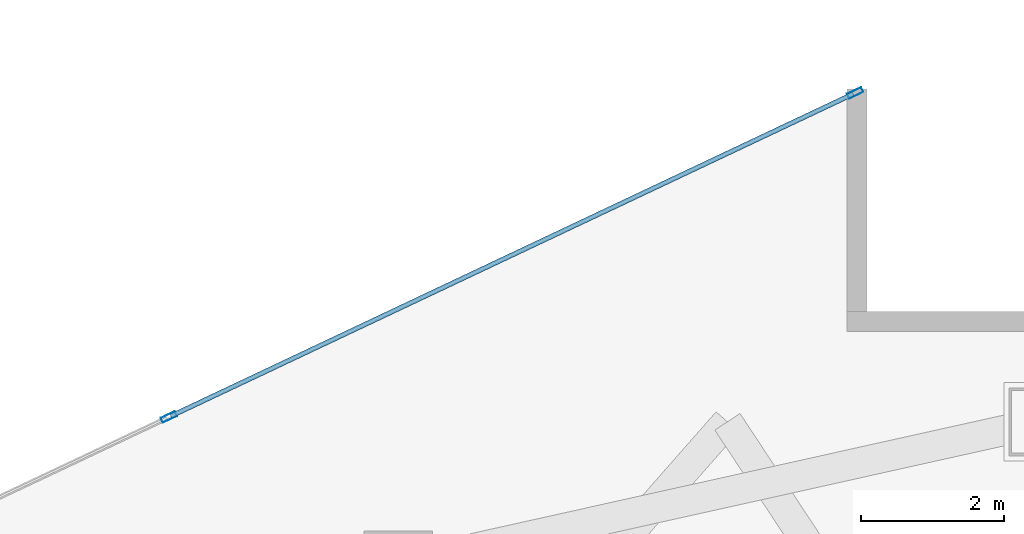
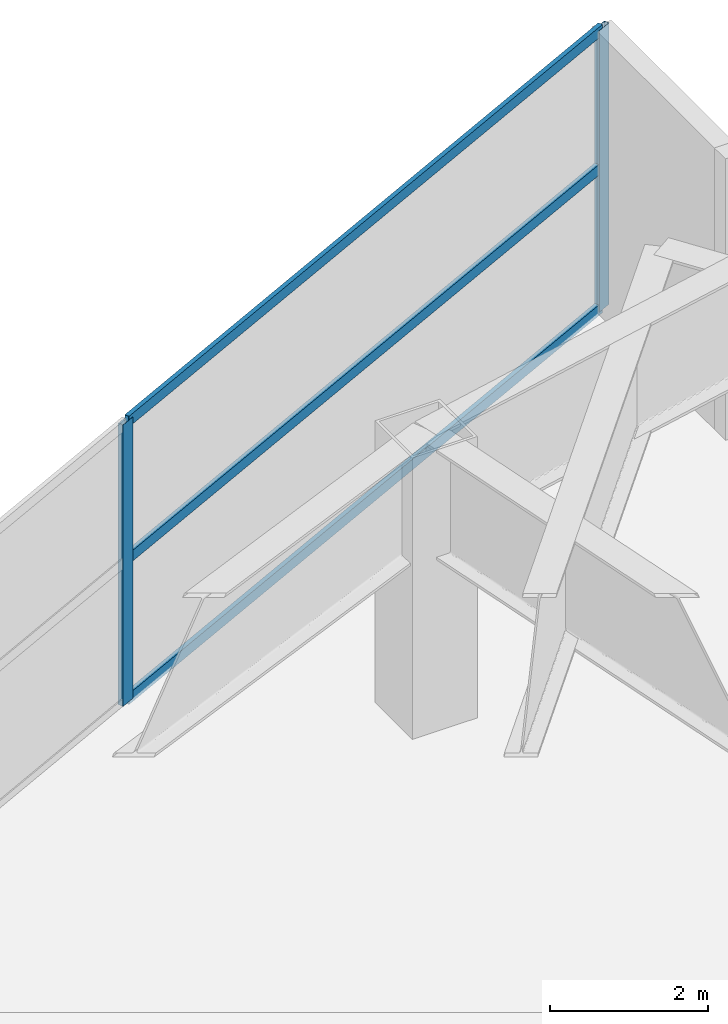
# One storey, part 9 of 18: 5 members, 1 element without a shape of its own.
"""IFC4 building model written with IfcOpenShell, lengths in metres."""

import ifcopenshell
import ifcopenshell.guid

model = None  # the IFC model being written
_history = None  # IfcOwnerHistory: only IFC2X3 demands one
_inside = {}  # id of a spatial element -> (the spatial element, [elements in it])
_under = {}  # id of a project, library or spatial element -> (it, [spatial elements below it])
_declared = {}  # id of a project -> (the project, [libraries it declares])
_typed = {}  # id of a type object -> (the type object, [elements of that type])
_made_of = {}  # id of a material, layer set ... -> (it, [elements and type objects made of it])


def new_model(schema):
    """Start an empty IFC model of exactly this schema.

    Asked for "IFC4X3", IfcOpenShell would pick the latest addendum, in which some entities
    have other attributes; the version numbers below select the first issue.
    IFC2X3 requires an IfcOwnerHistory on every rooted entity: one is made here for all.
    """
    global model, _history
    if schema == "IFC4X3":
        model = ifcopenshell.file(schema_version=(4, 3, 0, 0))
    else:
        model = ifcopenshell.file(schema=schema)
    _inside.clear()
    _under.clear()
    _declared.clear()
    _typed.clear()
    _made_of.clear()
    _history = None
    if model.schema == "IFC2X3":
        org = make("IfcOrganization", Name="unknown")
        user = make(
            "IfcPersonAndOrganization",
            ThePerson=make("IfcPerson", FamilyName="unknown"),
            TheOrganization=org,
        )
        app = make(
            "IfcApplication",
            ApplicationDeveloper=org,
            Version="unknown",
            ApplicationFullName="unknown",
            ApplicationIdentifier="unknown",
        )
        _history = make(
            "IfcOwnerHistory",
            OwningUser=user,
            OwningApplication=app,
            ChangeAction="ADDED",
            CreationDate=0,
        )
    return model


def make(cls, **values):
    """One entity of the class cls with the attributes given. An attribute that is None is left unset."""
    return model.create_entity(
        cls, **{name: value for name, value in values.items() if value is not None}
    )


def rooted(cls, **values):
    """An entity with a GlobalId (a new one), such as an element, a storey or a relation."""
    return make(cls, GlobalId=ifcopenshell.guid.new(), OwnerHistory=_history, **values)


def si_unit(unit_type, name, prefix=None):
    """IfcSIUnit, for example si_unit("LENGTHUNIT", "METRE", prefix="MILLI")."""
    return make("IfcSIUnit", UnitType=unit_type, Prefix=prefix, Name=name)


def assignment(units):
    """IfcUnitAssignment: the units of a project."""
    return None if units is None else make("IfcUnitAssignment", Units=units)


def point(xyz):
    """IfcCartesianPoint."""
    return None if xyz is None else make("IfcCartesianPoint", Coordinates=xyz)


def direction(xyz):
    """IfcDirection."""
    return None if xyz is None else make("IfcDirection", DirectionRatios=xyz)


def frame(location, z_axis=None, x_axis=None):
    """IfcAxis2Placement3D, a coordinate frame: its origin and axes. An axis left out is left unset."""
    return make(
        "IfcAxis2Placement3D",
        Location=point(location),
        Axis=direction(z_axis),
        RefDirection=direction(x_axis),
    )


def frame_2d(location, x_axis=None):
    """IfcAxis2Placement2D, a coordinate frame in the plane: its origin and x axis."""
    return make(
        "IfcAxis2Placement2D", Location=point(location), RefDirection=direction(x_axis)
    )


def origin():
    """The frame at (0, 0, 0) with its axes left unset."""
    return frame((0.0, 0.0, 0.0))


def origin_2d():
    """The frame at (0, 0) in the plane with its x axis left unset."""
    return frame_2d((0.0, 0.0))


def place(relative_to, where):
    """IfcLocalPlacement: puts the frame where relative to a parent placement (None: the world)."""
    return make(
        "IfcLocalPlacement", PlacementRelTo=relative_to, RelativePlacement=where
    )


def context(
    kind, dimensions, precision=None, world=None, true_north=None, identifier=None
):
    """IfcGeometricRepresentationContext, for example the 3D "Model" context."""
    return make(
        "IfcGeometricRepresentationContext",
        ContextIdentifier=identifier,
        ContextType=kind,
        CoordinateSpaceDimension=dimensions,
        Precision=precision,
        WorldCoordinateSystem=world,
        TrueNorth=true_north,
    )


def subcontext(parent, identifier, kind, view, scale=None):
    """IfcGeometricRepresentationSubContext, for example "Body" below "Model"."""
    return make(
        "IfcGeometricRepresentationSubContext",
        ContextIdentifier=identifier,
        ContextType=kind,
        ParentContext=parent,
        TargetScale=scale,
        TargetView=view,
    )


def project(units=None, contexts=None):
    """IfcProject with its units and contexts."""
    return rooted(
        "IfcProject",
        Name="project",
        RepresentationContexts=contexts,
        UnitsInContext=assignment(units),
    )


def spatial(cls, under=None, at=None, **own):
    """A site, building, storey or space (cls), placed at a placement, below another one or the project."""
    s = rooted(cls, ObjectPlacement=at, **own)
    if under is not None:
        _under.setdefault(under.id(), (under, []))[1].append(s)
    return s


def profile(cls, at=None, kind="AREA", **sizes):
    """A parametric profile (cls). Its sizes go by their IFC names, for example OverallWidth=200.0."""
    return make(cls, ProfileType=kind, Position=at, **sizes)


def hollow_rectangle(**sizes):
    """IfcRectangleHollowProfileDef."""
    return profile("IfcRectangleHollowProfileDef", **sizes)


def extrude(swept, where, along, depth):
    """IfcExtrudedAreaSolid: the profile swept, set in the frame where, extruded along a direction by depth."""
    return make(
        "IfcExtrudedAreaSolid",
        SweptArea=swept,
        Position=where,
        ExtrudedDirection=direction(along),
        Depth=depth,
    )


def shape(context_of_items, identifier, shape_type, items):
    """IfcShapeRepresentation: the items that make up one representation, for example the "Body"."""
    return make(
        "IfcShapeRepresentation",
        ContextOfItems=context_of_items,
        RepresentationIdentifier=identifier,
        RepresentationType=shape_type,
        Items=items,
    )


def material(Name=None, Category=None):
    """IfcMaterial."""
    return make("IfcMaterial", Name=Name, Category=Category)


def layer(
    of_material, thickness, ventilated=None, Name=None, Category=None, Priority=None
):
    """IfcMaterialLayer: one layer of a wall or slab, of a material (None: an air gap)."""
    return make(
        "IfcMaterialLayer",
        Material=of_material,
        LayerThickness=thickness,
        IsVentilated=ventilated,
        Name=Name,
        Category=Category,
        Priority=Priority,
    )


def layer_set(layers, Name=None):
    """IfcMaterialLayerSet."""
    return make("IfcMaterialLayerSet", MaterialLayers=layers, LayerSetName=Name)


def material_profile(
    of_material, cross_section, Name=None, Category=None, Priority=None
):
    """IfcMaterialProfile: a cross section and its material."""
    return make(
        "IfcMaterialProfile",
        Name=Name,
        Material=of_material,
        Profile=cross_section,
        Priority=Priority,
        Category=Category,
    )


def profile_set(profiles, Name=None, composite=None):
    """IfcMaterialProfileSet."""
    return make(
        "IfcMaterialProfileSet",
        Name=Name,
        MaterialProfiles=profiles,
        CompositeProfile=composite,
    )


def made_of(thing, what):
    """Note that an element or type object is made of a material, layer set ...; save() writes the relation."""
    if what is not None:
        _made_of.setdefault(what.id(), (what, []))[1].append(thing)
    return thing


def type_object(cls, material=None, **own):
    """A type object (cls), such as IfcWallType, which elements share."""
    return made_of(rooted(cls, **own), material)


def element(
    cls,
    number,
    at=None,
    inside=None,
    cuts=None,
    type_object=None,
    material=None,
    context=None,
    identifier="Body",
    shape_type=None,
    held_by="IfcProductDefinitionShape",
    body=None,
    shapes=None,
    **own,
):
    """One element of the class cls, such as IfcWall. Its Tag is "e" and its number.

    at: its placement. inside: the storey or other place that contains it. cuts: it is an
    opening in that element (IfcRelVoidsElement). A single representation is given by context,
    identifier, shape_type and body (its items); several are given by shapes. held_by: the class
    of the entity that holds the representations. save() writes the other relations.
    """
    e = rooted(cls, Tag="e%d" % number, ObjectPlacement=at, **own)
    if body is not None:
        shapes = [shape(context, identifier, shape_type, body)]
    if shapes is not None:
        e.Representation = make(held_by, Representations=shapes)
    if inside is not None:
        _inside.setdefault(inside.id(), (inside, []))[1].append(e)
    if cuts is not None:
        rooted(
            "IfcRelVoidsElement", RelatingBuildingElement=cuts, RelatedOpeningElement=e
        )
    if type_object is not None:
        _typed.setdefault(type_object.id(), (type_object, []))[1].append(e)
    return made_of(e, material)


def aggregate(whole, parts):
    """IfcRelAggregates: a whole, such as a stair, and the parts it consists of."""
    return rooted("IfcRelAggregates", RelatingObject=whole, RelatedObjects=parts)


def save(model, path):
    """Write the relations noted so far, then the file.

    IfcRelAggregates (storeys below a building ...), IfcRelContainedInSpatialStructure (elements
    in a storey), IfcRelDefinesByType, IfcRelAssociatesMaterial and IfcRelDeclares: one each for
    every whole, place, type object, material and project.
    """
    for whole, parts in _under.values():
        aggregate(whole, parts)
    for where, things in _inside.values():
        rooted(
            "IfcRelContainedInSpatialStructure",
            RelatedElements=things,
            RelatingStructure=where,
        )
    for kind, things in _typed.values():
        rooted("IfcRelDefinesByType", RelatedObjects=things, RelatingType=kind)
    for what, things in _made_of.values():
        rooted("IfcRelAssociatesMaterial", RelatedObjects=things, RelatingMaterial=what)
    for by, libraries in _declared.values():
        rooted("IfcRelDeclares", RelatingContext=by, RelatedDefinitions=libraries)
    model.write(path)


model = new_model("IFC4")

# Units and contexts
model_context = context("Model", 3, precision=1e-05, world=origin(), true_north=direction((0.0, 1.0)))
body_context = subcontext(model_context, "Body", "Model", "MODEL_VIEW")
ifc_project = project(units=[si_unit("LENGTHUNIT", "METRE"), si_unit("AREAUNIT", "SQUARE_METRE"), si_unit("VOLUMEUNIT", "CUBIC_METRE"), si_unit("PLANEANGLEUNIT", "RADIAN"), si_unit("MASSUNIT", "GRAM", prefix="KILO")], contexts=[model_context])

# Site, building, storey
site_placement = place(None, origin())
site = spatial("IfcSite", under=ifc_project, at=site_placement, CompositionType="ELEMENT")
building_placement = place(site_placement, origin())
building = spatial("IfcBuilding", under=site, at=building_placement, Name="Calvorn Quay Hotel", CompositionType="ELEMENT")
storey_placement = place(building_placement, frame((0.0, 0.0, 92.60009765625)))
storey = spatial("IfcBuildingStorey", under=building, at=storey_placement, Name="L22", CompositionType="ELEMENT", Elevation=92.60009765625)

# Curtain wall, members
ifc_material_1 = material(Name="Pale Anodised Aluminium and Low-E Glass", Category="aluminium")
ifc_layer = layer(ifc_material_1, 0.219970703125)
ifc_layer_set = layer_set([ifc_layer], Name="CW-SYS-Z1")
curtain_wall_type = type_object("IfcCurtainWallType", Name="CW-SYS-Z1", PredefinedType="NOTDEFINED", material=ifc_layer_set)
curtain_wall_placement = place(storey_placement, origin())
curtain_wall = element("IfcCurtainWall", 1, at=curtain_wall_placement, inside=storey, type_object=curtain_wall_type, Name="Inner Court Curtain Wall L22-NE1", PredefinedType="NOTDEFINED")
ifc_material_2 = material(Name="Pale Anodised Aluminium 6063-T6", Category="aluminium")
ifc_material_profile_1 = material_profile(ifc_material_2, hollow_rectangle(XDim=0.074951171875, YDim=0.219970703125, WallThickness=0.00439453125, at=origin_2d()), Name="ALU-M220x75x4.5")
ifc_profile_set_1 = profile_set([ifc_material_profile_1], Name="Pale Anodised Aluminium 6063-T6")
member_type_1 = type_object("IfcMemberType", Name="CW-SYS-Z1-MUL", PredefinedType="MULLION", material=ifc_profile_set_1)
member_1_placement = place(storey_placement, frame((50.372802734375, 37.9873046875, 0.0), z_axis=(0.0, 0.0, 1.0), x_axis=(0.427006305415, -0.904248646743, 0.0)))
member_1 = element("IfcMember", 2, at=member_1_placement, type_object=member_type_1, Name="CW-L22-NE1 mullion 1", PredefinedType="MULLION", context=body_context, shape_type="SweptSolid", body=[
    extrude(hollow_rectangle(XDim=0.074951171875, YDim=0.219970703125, WallThickness=0.00439453125, at=origin_2d()), origin(), (0.0, 0.0, 1.0), 4.349853515625),
])
member_2_placement = place(storey_placement, frame((40.800048828125, 33.466552734375, 0.0), z_axis=(0.0, 0.0, 1.0), x_axis=(0.427006305415, -0.904248646743, 0.0)))
member_2 = element("IfcMember", 3, at=member_2_placement, type_object=member_type_1, Name="CW-L22-NE1 mullion 2", PredefinedType="MULLION", context=body_context, shape_type="SweptSolid", body=[
    extrude(hollow_rectangle(XDim=0.074951171875, YDim=0.219970703125, WallThickness=0.00439453125, at=origin_2d()), origin(), (0.0, 0.0, 1.0), 4.349853515625),
])
ifc_material_3 = material(Name="Pale Anodised Aluminium 6063-T6", Category="aluminium")
ifc_material_profile_2 = material_profile(ifc_material_3, hollow_rectangle(XDim=0.06494140625, YDim=0.1650390625, WallThickness=0.00341796875, at=origin_2d()), Name="ALU-T165x65x3.5")
ifc_profile_set_2 = profile_set([ifc_material_profile_2], Name="Pale Anodised Aluminium 6063-T6")
member_type_2 = type_object("IfcMemberType", Name="CW-SYS-Z1-TRN", PredefinedType="USERDEFINED", material=ifc_profile_set_2)
member_3_placement = place(storey_placement, frame((50.345703125, 37.974365234375, 0.02978515625), z_axis=(-0.904248646746, -0.427006305408, 0.0), x_axis=(0.427006305408, -0.904248646746, 0.0)))
member_3 = element("IfcMember", 4, at=member_3_placement, type_object=member_type_2, Name="CW-L22-NE1 transom 1.1", ObjectType="TRANSOM", PredefinedType="USERDEFINED", context=body_context, shape_type="SweptSolid", body=[
    extrude(hollow_rectangle(XDim=0.06494140625, YDim=0.1650390625, WallThickness=0.00341796875, at=origin_2d()), origin(), (0.0, 0.0, 1.0), 10.5263671875),
])
member_4_placement = place(storey_placement, frame((50.345703125, 37.974365234375, 2.199951171875), z_axis=(-0.904248646746, -0.427006305408, 0.0), x_axis=(0.427006305408, -0.904248646746, 0.0)))
member_4 = element("IfcMember", 5, at=member_4_placement, type_object=member_type_2, Name="CW-L22-NE1 transom 1.2", ObjectType="TRANSOM", PredefinedType="USERDEFINED", context=body_context, shape_type="SweptSolid", body=[
    extrude(hollow_rectangle(XDim=0.06494140625, YDim=0.1650390625, WallThickness=0.00341796875, at=origin_2d()), origin(), (0.0, 0.0, 1.0), 10.5263671875),
])
member_5_placement = place(storey_placement, frame((50.345703125, 37.974365234375, 4.31982421875), z_axis=(-0.904248646746, -0.427006305408, 0.0), x_axis=(0.427006305408, -0.904248646746, 0.0)))
member_5 = element("IfcMember", 6, at=member_5_placement, type_object=member_type_2, Name="CW-L22-NE1 transom 1.3", ObjectType="TRANSOM", PredefinedType="USERDEFINED", context=body_context, shape_type="SweptSolid", body=[
    extrude(hollow_rectangle(XDim=0.06494140625, YDim=0.1650390625, WallThickness=0.00341796875, at=origin_2d()), origin(), (0.0, 0.0, 1.0), 10.5263671875),
])
aggregate(curtain_wall, [member_1, member_2, member_3, member_4, member_5])

save(model, "model.ifc")
